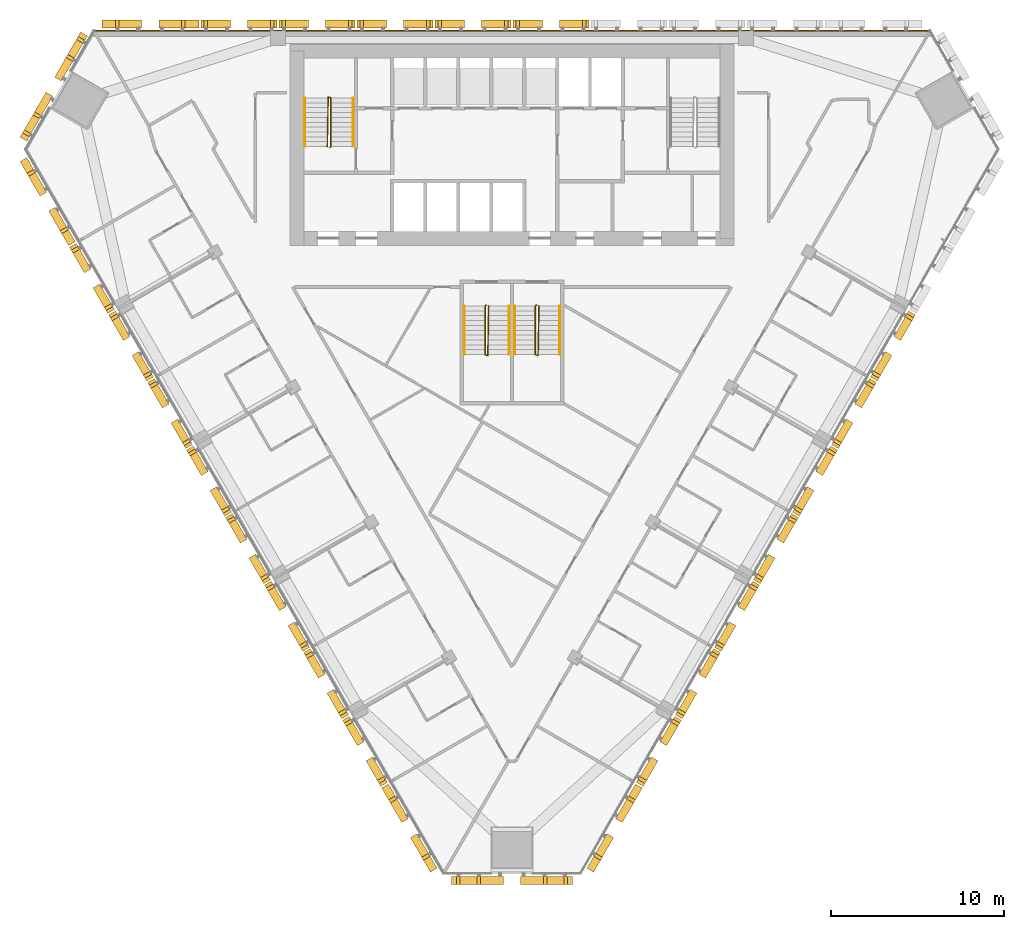
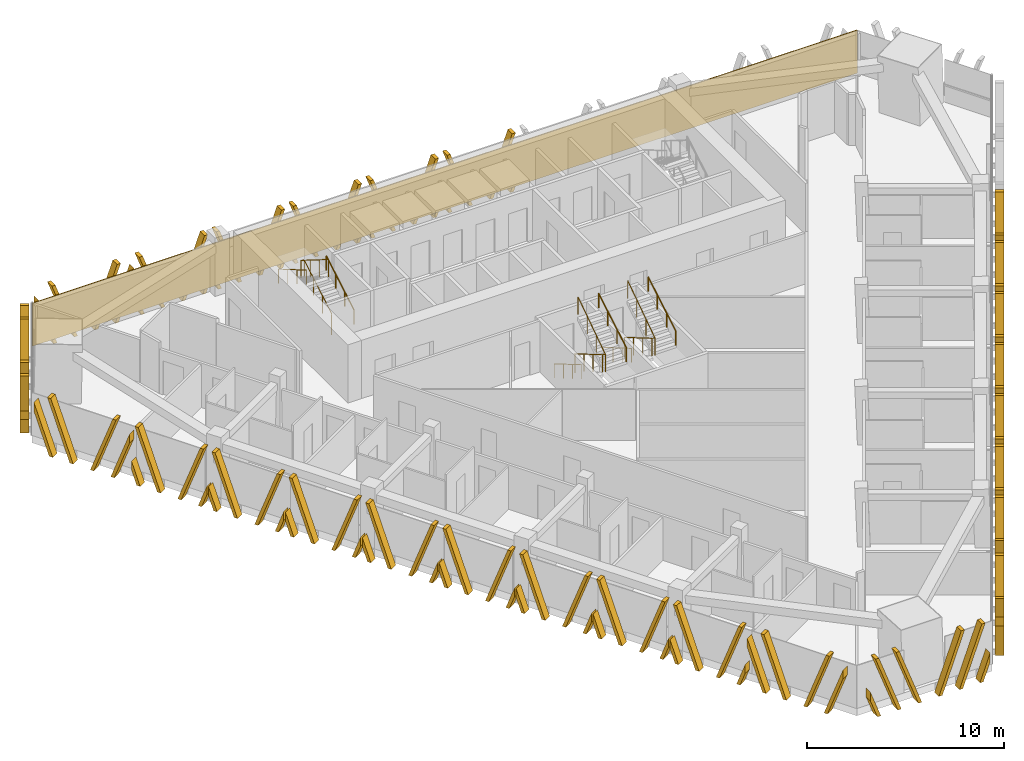
# One storey, part 14 of 16: 26 shading devices, 9 railings, 1 covering.
"""IFC4 building model written with IfcOpenShell, lengths in metres."""

from ifc_helpers import new_model, si_unit, direction, frame, frame_2d, origin, origin_2d, place, context, subcontext, project, spatial, polyline, rectangle, circle, outline, extrude, source, transform, mapped, material, layer, layer_set, type_object, element, save


model = new_model("IFC4")

# Units and contexts
model_context = context("Model", 3, precision=1e-05, world=origin(), true_north=direction((0.0, 1.0)))
body_context = subcontext(model_context, "Body", "Model", "MODEL_VIEW")
ifc_project = project(units=[si_unit("LENGTHUNIT", "METRE"), si_unit("AREAUNIT", "SQUARE_METRE"), si_unit("VOLUMEUNIT", "CUBIC_METRE"), si_unit("PLANEANGLEUNIT", "RADIAN"), si_unit("MASSUNIT", "GRAM", prefix="KILO")], contexts=[model_context])

# Site, building, storey
site_placement = place(None, origin())
site = spatial("IfcSite", under=ifc_project, at=site_placement, CompositionType="ELEMENT")
building_placement = place(site_placement, origin())
building = spatial("IfcBuilding", under=site, at=building_placement, Name="Altiplano Prism Tower", CompositionType="ELEMENT")
storey_placement = place(building_placement, frame((0.0, 0.0, 124.199951171875)))
storey = spatial("IfcBuildingStorey", under=building, at=storey_placement, Name="L31", CompositionType="ELEMENT", Elevation=124.199951171875)

# Railings
ifc_material_1 = material(Name="Steel S355", Category="steel")
railing_type_1 = type_object("IfcRailingType", Name="Stair guard 1100", PredefinedType="GUARDRAIL", material=ifc_material_1)
railing_1_placement = place(storey_placement, frame((74.5, 98.25, 0.0)))
element("IfcRailing", 1, at=railing_1_placement, inside=storey, type_object=railing_type_1, Name="L31 ST1 stair guard 1", PredefinedType="GUARDRAIL", context=body_context, shape_type="SweptSolid", body=[
    extrude(circle(Radius=0.02392578125, at=origin_2d()), frame((0.0, 0.0, 1.076171875), z_axis=(0.280808744504, 0.280808744504, 0.917765164963), x_axis=(-0.707106781187, 0.707106781187, 0.0)), (0.0, 0.0, 1.0), 0.17822265625),
    extrude(circle(Radius=0.02392578125, at=origin_2d()), frame((0.050048828125, 0.050048828125, 1.23974609375), z_axis=(0.0, 0.863360870873, 0.504586966384), x_axis=(-1.0, 0.0, 0.0)), (0.0, 0.0, 1.0), 3.2431640625),
    extrude(circle(Radius=0.02392578125, at=origin_2d()), frame((0.050048828125, 2.85009765625, 2.8759765625), z_axis=(-0.949145278916, 0.314838433982, 0.0), x_axis=(-0.314838433982, -0.949145278916, 0.0)), (0.0, 0.0, 1.0), 0.158203125),
    extrude(circle(Radius=0.02392578125, at=origin_2d()), frame((-0.10009765625, 2.89990234375, 2.8759765625), z_axis=(-0.01477401265, -0.845377694409, 0.533964682676), x_axis=(0.999847325713, -0.01747355902, 0.0)), (0.0, 0.0, 1.0), 3.37109375),
    extrude(circle(Radius=0.02099609375, at=origin_2d()), origin(), (0.0, 0.0, 1.0), 1.052001953125),
    extrude(circle(Radius=0.02099609375, at=origin_2d()), frame((0.050048828125, 0.050048828125, 0.16357421875)), (0.0, 0.0, 1.0), 1.052001953125),
    extrude(circle(Radius=0.02099609375, at=origin_2d()), frame((0.050048828125, 0.9833984375, 0.708984375)), (0.0, 0.0, 1.0), 1.052001953125),
    extrude(circle(Radius=0.02099609375, at=origin_2d()), frame((0.050048828125, 1.916748046875, 1.254638671875)), (0.0, 0.0, 1.0), 1.052001953125),
    extrude(circle(Radius=0.02099609375, at=origin_2d()), frame((0.050048828125, 2.85009765625, 1.800048828125)), (0.0, 0.0, 1.0), 1.052001953125),
    extrude(circle(Radius=0.02099609375, at=origin_2d()), frame((-0.10009765625, 2.89990234375, 1.800048828125)), (0.0, 0.0, 1.0), 1.052001953125),
    extrude(circle(Radius=0.02099609375, at=origin_2d()), frame((-0.11669921875, 1.949951171875, 2.400146484375)), (0.0, 0.0, 1.0), 1.052001953125),
    extrude(circle(Radius=0.02099609375, at=origin_2d()), frame((-0.13330078125, 1.0, 3.0)), (0.0, 0.0, 1.0), 1.052001953125),
    extrude(circle(Radius=0.02099609375, at=origin_2d()), frame((-0.14990234375, 0.050048828125, 3.60009765625)), (0.0, 0.0, 1.0), 1.052001953125),
])
railing_2_placement = place(storey_placement, frame((83.5, 89.14990234375, 0.0)))
element("IfcRailing", 2, at=railing_2_placement, inside=storey, type_object=railing_type_1, Name="L31 ST3A stair guard 1", PredefinedType="GUARDRAIL", context=body_context, shape_type="SweptSolid", body=[
    extrude(circle(Radius=0.02392578125, at=origin_2d()), frame((0.0, 0.0, 1.076171875), z_axis=(-0.280916556609, -0.279546231943, 0.91811752648), x_axis=(0.705375805398, -0.708833529934, 0.0)), (0.0, 0.0, 1.0), 0.17822265625),
    extrude(circle(Radius=0.02392578125, at=origin_2d()), frame((-0.050048828125, -0.0498046875, 1.23974609375), z_axis=(0.0, -0.863360870873, 0.504586966384), x_axis=(1.0, 0.0, 0.0)), (0.0, 0.0, 1.0), 3.2431640625),
    extrude(circle(Radius=0.02392578125, at=origin_2d()), frame((-0.050048828125, -2.849853515625, 2.8759765625), z_axis=(0.948683298051, -0.316227766017, 0.0), x_axis=(0.316227766017, 0.948683298051, 0.0)), (0.0, 0.0, 1.0), 0.158203125),
    extrude(circle(Radius=0.02392578125, at=origin_2d()), frame((0.10009765625, -2.89990234375, 2.8759765625), z_axis=(0.014773108175, 0.84539835705, 0.533931993021), x_axis=(-0.999847351862, 0.017472062685, 0.0)), (0.0, 0.0, 1.0), 3.371337890625),
    extrude(circle(Radius=0.02099609375, at=origin_2d()), origin(), (0.0, 0.0, 1.0), 1.052001953125),
    extrude(circle(Radius=0.02099609375, at=origin_2d()), frame((-0.050048828125, -0.0498046875, 0.16357421875)), (0.0, 0.0, 1.0), 1.052001953125),
    extrude(circle(Radius=0.02099609375, at=origin_2d()), frame((-0.050048828125, -0.983154296875, 0.708984375)), (0.0, 0.0, 1.0), 1.052001953125),
    extrude(circle(Radius=0.02099609375, at=origin_2d()), frame((-0.050048828125, -1.91650390625, 1.254638671875)), (0.0, 0.0, 1.0), 1.052001953125),
    extrude(circle(Radius=0.02099609375, at=origin_2d()), frame((-0.050048828125, -2.849853515625, 1.800048828125)), (0.0, 0.0, 1.0), 1.052001953125),
    extrude(circle(Radius=0.02099609375, at=origin_2d()), frame((0.10009765625, -2.89990234375, 1.800048828125)), (0.0, 0.0, 1.0), 1.052001953125),
    extrude(circle(Radius=0.02099609375, at=origin_2d()), frame((0.11669921875, -1.949951171875, 2.400146484375)), (0.0, 0.0, 1.0), 1.052001953125),
    extrude(circle(Radius=0.02099609375, at=origin_2d()), frame((0.13330078125, -0.999755859375, 3.0)), (0.0, 0.0, 1.0), 1.052001953125),
    extrude(circle(Radius=0.02099609375, at=origin_2d()), frame((0.14990234375, -0.0498046875, 3.60009765625)), (0.0, 0.0, 1.0), 1.052001953125),
])
railing_3_placement = place(storey_placement, frame((86.39990234375, 89.14990234375, 0.0)))
element("IfcRailing", 3, at=railing_3_placement, inside=storey, type_object=railing_type_1, Name="L31 ST3B stair guard 1", PredefinedType="GUARDRAIL", context=body_context, shape_type="SweptSolid", body=[
    extrude(circle(Radius=0.02392578125, at=origin_2d()), frame((0.0, 0.0, 1.076171875), z_axis=(-0.279653641804, -0.279653641804, 0.918470294159), x_axis=(0.707106781187, -0.707106781187, 0.0)), (0.0, 0.0, 1.0), 0.177978515625),
    extrude(circle(Radius=0.02392578125, at=origin_2d()), frame((-0.0498046875, -0.0498046875, 1.23974609375), z_axis=(0.0, -0.863360870873, 0.504586966384), x_axis=(1.0, 0.0, 0.0)), (0.0, 0.0, 1.0), 3.2431640625),
    extrude(circle(Radius=0.02392578125, at=origin_2d()), frame((-0.0498046875, -2.849853515625, 2.8759765625), z_axis=(0.948528701346, -0.316691178788, 0.0), x_axis=(0.316691178788, 0.948528701346, 0.0)), (0.0, 0.0, 1.0), 0.157958984375),
    extrude(circle(Radius=0.02392578125, at=origin_2d()), frame((0.10009765625, -2.89990234375, 2.8759765625), z_axis=(0.014845509451, 0.845397450405, 0.533931420407), x_axis=(-0.999845851991, 0.017557683712, 0.0)), (0.0, 0.0, 1.0), 3.371337890625),
    extrude(circle(Radius=0.02099609375, at=origin_2d()), origin(), (0.0, 0.0, 1.0), 1.052001953125),
    extrude(circle(Radius=0.02099609375, at=origin_2d()), frame((-0.0498046875, -0.0498046875, 0.16357421875)), (0.0, 0.0, 1.0), 1.052001953125),
    extrude(circle(Radius=0.02099609375, at=origin_2d()), frame((-0.0498046875, -0.983154296875, 0.708984375)), (0.0, 0.0, 1.0), 1.052001953125),
    extrude(circle(Radius=0.02099609375, at=origin_2d()), frame((-0.0498046875, -1.91650390625, 1.254638671875)), (0.0, 0.0, 1.0), 1.052001953125),
    extrude(circle(Radius=0.02099609375, at=origin_2d()), frame((-0.0498046875, -2.849853515625, 1.800048828125)), (0.0, 0.0, 1.0), 1.052001953125),
    extrude(circle(Radius=0.02099609375, at=origin_2d()), frame((0.10009765625, -2.89990234375, 1.800048828125)), (0.0, 0.0, 1.0), 1.052001953125),
    extrude(circle(Radius=0.02099609375, at=origin_2d()), frame((0.11669921875, -1.949951171875, 2.400146484375)), (0.0, 0.0, 1.0), 1.052001953125),
    extrude(circle(Radius=0.02099609375, at=origin_2d()), frame((0.133544921875, -0.999755859375, 3.0)), (0.0, 0.0, 1.0), 1.052001953125),
    extrude(circle(Radius=0.02099609375, at=origin_2d()), frame((0.150146484375, -0.0498046875, 3.60009765625)), (0.0, 0.0, 1.0), 1.052001953125),
])
railing_type_2 = type_object("IfcRailingType", Name="Stair handrail 900", PredefinedType="HANDRAIL", material=ifc_material_1)
railing_4_placement = place(storey_placement, frame((75.85009765625, 98.300048828125, 0.16357421875)))
element("IfcRailing", 4, at=railing_4_placement, inside=storey, type_object=railing_type_2, Name="L31 ST1 stair handrail 1", PredefinedType="HANDRAIL", context=body_context, shape_type="SweptSolid", body=[
    extrude(circle(Radius=0.02392578125, at=origin_2d()), frame((0.0, 0.0, 0.8759765625), z_axis=(0.0, 0.863360870873, 0.504586966384), x_axis=(-1.0, 0.0, 0.0)), (0.0, 0.0, 1.0), 3.2431640625),
    extrude(circle(Radius=0.02099609375, at=origin_2d()), origin(), (0.0, 0.0, 1.0), 0.851806640625),
    extrude(circle(Radius=0.02099609375, at=origin_2d()), frame((0.0, 0.933349609375, 0.54541015625)), (0.0, 0.0, 1.0), 0.851806640625),
    extrude(circle(Radius=0.02099609375, at=origin_2d()), frame((0.0, 1.86669921875, 1.091064453125)), (0.0, 0.0, 1.0), 0.851806640625),
    extrude(circle(Radius=0.02099609375, at=origin_2d()), frame((0.0, 2.800048828125, 1.636474609375)), (0.0, 0.0, 1.0), 0.851806640625),
])
for number, where, name in (
    (5, (73.050048828125, 101.10009765625, 1.963623046875), "L31 ST1 stair handrail 2"),
    (6, (82.25, 89.10009765625, 0.16357421875), "L31 ST3A stair handrail 1"),
):
    element("IfcRailing", number, at=place(storey_placement, frame(where)), inside=storey, type_object=railing_type_2, Name=name, PredefinedType="HANDRAIL", context=body_context, shape_type="SweptSolid", body=[
        extrude(circle(Radius=0.02392578125, at=origin_2d()), frame((0.0, 0.0, 0.8759765625), z_axis=(0.0, -0.863360870873, 0.504586966384), x_axis=(1.0, 0.0, 0.0)), (0.0, 0.0, 1.0), 3.2431640625),
        extrude(circle(Radius=0.02099609375, at=origin_2d()), origin(), (0.0, 0.0, 1.0), 0.851806640625),
        extrude(circle(Radius=0.02099609375, at=origin_2d()), frame((0.0, -0.933349609375, 0.54541015625)), (0.0, 0.0, 1.0), 0.851806640625),
        extrude(circle(Radius=0.02099609375, at=origin_2d()), frame((0.0, -1.86669921875, 1.091064453125)), (0.0, 0.0, 1.0), 0.851806640625),
        extrude(circle(Radius=0.02099609375, at=origin_2d()), frame((0.0, -2.800048828125, 1.636474609375)), (0.0, 0.0, 1.0), 0.851806640625),
    ])
railing_5_placement = place(storey_placement, frame((84.85009765625, 86.300048828125, 1.963623046875)))
element("IfcRailing", 7, at=railing_5_placement, inside=storey, type_object=railing_type_2, Name="L31 ST3A stair handrail 2", PredefinedType="HANDRAIL", context=body_context, shape_type="SweptSolid", body=[
    extrude(circle(Radius=0.02392578125, at=origin_2d()), frame((0.0, 0.0, 0.8759765625), z_axis=(0.0, 0.863360870873, 0.504586966384), x_axis=(-1.0, 0.0, 0.0)), (0.0, 0.0, 1.0), 3.2431640625),
    extrude(circle(Radius=0.02099609375, at=origin_2d()), origin(), (0.0, 0.0, 1.0), 0.851806640625),
    extrude(circle(Radius=0.02099609375, at=origin_2d()), frame((0.0, 0.933349609375, 0.54541015625)), (0.0, 0.0, 1.0), 0.851806640625),
    extrude(circle(Radius=0.02099609375, at=origin_2d()), frame((0.0, 1.86669921875, 1.091064453125)), (0.0, 0.0, 1.0), 0.851806640625),
    extrude(circle(Radius=0.02099609375, at=origin_2d()), frame((0.0, 2.800048828125, 1.636474609375)), (0.0, 0.0, 1.0), 0.851806640625),
])
railing_6_placement = place(storey_placement, frame((85.14990234375, 89.10009765625, 0.16357421875)))
element("IfcRailing", 8, at=railing_6_placement, inside=storey, type_object=railing_type_2, Name="L31 ST3B stair handrail 1", PredefinedType="HANDRAIL", context=body_context, shape_type="SweptSolid", body=[
    extrude(circle(Radius=0.02392578125, at=origin_2d()), frame((0.0, 0.0, 0.8759765625), z_axis=(0.0, -0.863360870873, 0.504586966384), x_axis=(1.0, 0.0, 0.0)), (0.0, 0.0, 1.0), 3.2431640625),
    extrude(circle(Radius=0.02099609375, at=origin_2d()), origin(), (0.0, 0.0, 1.0), 0.851806640625),
    extrude(circle(Radius=0.02099609375, at=origin_2d()), frame((0.0, -0.933349609375, 0.54541015625)), (0.0, 0.0, 1.0), 0.851806640625),
    extrude(circle(Radius=0.02099609375, at=origin_2d()), frame((0.0, -1.86669921875, 1.091064453125)), (0.0, 0.0, 1.0), 0.851806640625),
    extrude(circle(Radius=0.02099609375, at=origin_2d()), frame((0.0, -2.800048828125, 1.636474609375)), (0.0, 0.0, 1.0), 0.851806640625),
])
railing_7_placement = place(storey_placement, frame((87.75, 86.300048828125, 1.963623046875)))
element("IfcRailing", 9, at=railing_7_placement, inside=storey, type_object=railing_type_2, Name="L31 ST3B stair handrail 2", PredefinedType="HANDRAIL", context=body_context, shape_type="SweptSolid", body=[
    extrude(circle(Radius=0.02392578125, at=origin_2d()), frame((0.0, 0.0, 0.8759765625), z_axis=(0.0, 0.863360870873, 0.504586966384), x_axis=(-1.0, 0.0, 0.0)), (0.0, 0.0, 1.0), 3.2431640625),
    extrude(circle(Radius=0.02099609375, at=origin_2d()), origin(), (0.0, 0.0, 1.0), 0.851806640625),
    extrude(circle(Radius=0.02099609375, at=origin_2d()), frame((0.0, 0.933349609375, 0.54541015625)), (0.0, 0.0, 1.0), 0.851806640625),
    extrude(circle(Radius=0.02099609375, at=origin_2d()), frame((0.0, 1.86669921875, 1.091064453125)), (0.0, 0.0, 1.0), 0.851806640625),
    extrude(circle(Radius=0.02099609375, at=origin_2d()), frame((0.0, 2.800048828125, 1.636474609375)), (0.0, 0.0, 1.0), 0.851806640625),
])

# Covering
ifc_material_2 = material(Name="Warm limestone cast stone", Category="masonry")
ifc_layer = layer(ifc_material_2, 0.06005859375)
ifc_layer_set = layer_set([ifc_layer], Name="Warm limestone cast stone")
covering_type = type_object("IfcCoveringType", Name="Stone cladding 60", PredefinedType="CLADDING", material=ifc_layer_set)
covering_placement = place(storey_placement, frame((60.8681640625, 104.969970703125, 0.0), z_axis=(0.0, 0.0, 1.0), x_axis=(1.0, 0.0, 0.0)))
element("IfcCovering", 10, at=covering_placement, inside=storey, type_object=covering_type, Name="Stone cladding north face L31", PredefinedType="CLADDING", context=body_context, shape_type="SweptSolid", body=[
    extrude(rectangle(XDim=48.263671875, YDim=0.06005859375, at=frame_2d((24.1318359375, 0.0))), origin(), (0.0, 0.0, 1.0), 2.650146484375),
])

# Shading devices
shading_device_type_1 = type_object("IfcShadingDeviceType", Name="Stone fin panel, standard unit", PredefinedType="USERDEFINED", material=ifc_material_2)
shared_shape_1 = source(origin(), body_context, "Body", "SweptSolid", [
    extrude(outline(polyline([(-2.199951171875, 1.373779296875), (-2.199951171875, 0.82421875), (-1.89990234375, 0.0), (-1.699951171875, 0.0), (-2.199951171875, 1.373779296875)])), frame((0.0, -0.14990234375, 0.0), z_axis=(0.0, -1.0, 0.0), x_axis=(1.0, 0.0, 0.0)), (0.0, 0.0, 1.0), 0.4501953125),
    extrude(outline(polyline([(-2.01025390625, 3.60009765625), (-0.699951171875, 0.0), (-0.5, 0.0), (-1.810302734375, 3.60009765625), (-2.01025390625, 3.60009765625)])), frame((0.0, -0.14990234375, 0.0), z_axis=(0.0, -1.0, 0.0), x_axis=(1.0, 0.0, 0.0)), (0.0, 0.0, 1.0), 0.4501953125),
    extrude(outline(polyline([(1.810302734375, 3.60009765625), (0.5, 0.0), (0.699951171875, 0.0), (2.01025390625, 3.60009765625), (1.810302734375, 3.60009765625)])), frame((0.0, -0.14990234375, 0.0), z_axis=(0.0, -1.0, 0.0), x_axis=(1.0, 0.0, 0.0)), (0.0, 0.0, 1.0), 0.4501953125),
    extrude(outline(polyline([(2.199951171875, 0.82421875), (2.199951171875, 1.373779296875), (1.699951171875, 0.0), (1.89990234375, 0.0), (2.199951171875, 0.82421875)])), frame((0.0, -0.14990234375, 0.0), z_axis=(0.0, -1.0, 0.0), x_axis=(1.0, 0.0, 0.0)), (0.0, 0.0, 1.0), 0.4501953125),
])
shading_device_1_placement = place(storey_placement, origin())
element("IfcShadingDevice", 11, at=shading_device_1_placement, inside=storey, type_object=shading_device_type_1, Name="Fin L31 north face 5", ObjectType="FIN", PredefinedType="USERDEFINED", context=body_context, shape_type="MappedRepresentation", body=[
    mapped(shared_shape_1, transform((87.25, 105.0, -0.449951171875), x_axis=(-1.0, 0.0, 0.0), y_axis=(0.0, -1.0, 0.0), z_axis=(0.0, 0.0, 1.0))),
])
shading_device_2_placement = place(storey_placement, origin())
element("IfcShadingDevice", 12, at=shading_device_2_placement, inside=storey, type_object=shading_device_type_1, Name="Fin L31 north face 6", ObjectType="FIN", PredefinedType="USERDEFINED", context=body_context, shape_type="MappedRepresentation", body=[
    mapped(shared_shape_1, transform((82.75, 105.0, -0.449951171875), x_axis=(-1.0, 0.0, 0.0), y_axis=(0.0, -1.0, 0.0), z_axis=(0.0, 0.0, 1.0))),
])
shading_device_3_placement = place(storey_placement, origin())
element("IfcShadingDevice", 13, at=shading_device_3_placement, inside=storey, type_object=shading_device_type_1, Name="Fin L31 north face 7", ObjectType="FIN", PredefinedType="USERDEFINED", context=body_context, shape_type="MappedRepresentation", body=[
    mapped(shared_shape_1, transform((78.25, 105.0, -0.449951171875), x_axis=(-1.0, 0.0, 0.0), y_axis=(0.0, -1.0, 0.0), z_axis=(0.0, 0.0, 1.0))),
])
shading_device_4_placement = place(storey_placement, origin())
element("IfcShadingDevice", 14, at=shading_device_4_placement, inside=storey, type_object=shading_device_type_1, Name="Fin L31 north face 8", ObjectType="FIN", PredefinedType="USERDEFINED", context=body_context, shape_type="MappedRepresentation", body=[
    mapped(shared_shape_1, transform((73.75, 105.0, -0.449951171875), x_axis=(-1.0, 0.0, 0.0), y_axis=(0.0, -1.0, 0.0), z_axis=(0.0, 0.0, 1.0))),
])
shading_device_5_placement = place(storey_placement, origin())
element("IfcShadingDevice", 15, at=shading_device_5_placement, inside=storey, type_object=shading_device_type_1, Name="Fin L31 north face 9", ObjectType="FIN", PredefinedType="USERDEFINED", context=body_context, shape_type="MappedRepresentation", body=[
    mapped(shared_shape_1, transform((69.25, 105.0, -0.449951171875), x_axis=(-1.0, 0.0, 0.0), y_axis=(0.0, -1.0, 0.0), z_axis=(0.0, 0.0, 1.0))),
])
shading_device_6_placement = place(storey_placement, origin())
element("IfcShadingDevice", 16, at=shading_device_6_placement, inside=storey, type_object=shading_device_type_1, Name="Fin L31 south-west face 2", ObjectType="FIN", PredefinedType="USERDEFINED", context=body_context, shape_type="MappedRepresentation", body=[
    mapped(shared_shape_1, transform((61.09814453125, 90.880615234375, -0.449951171875), x_axis=(0.499999989809, -0.866025409668, 0.0), y_axis=(0.866025409668, 0.499999989809, 0.0), z_axis=(0.0, 0.0, 1.0))),
])
shading_device_7_placement = place(storey_placement, origin())
element("IfcShadingDevice", 17, at=shading_device_7_placement, inside=storey, type_object=shading_device_type_1, Name="Fin L31 south-west face 3", ObjectType="FIN", PredefinedType="USERDEFINED", context=body_context, shape_type="MappedRepresentation", body=[
    mapped(shared_shape_1, transform((63.34814453125, 86.983642578125, -0.449951171875), x_axis=(0.499999989809, -0.866025409668, 0.0), y_axis=(0.866025409668, 0.499999989809, 0.0), z_axis=(0.0, 0.0, 1.0))),
])
shading_device_8_placement = place(storey_placement, origin())
element("IfcShadingDevice", 18, at=shading_device_8_placement, inside=storey, type_object=shading_device_type_1, Name="Fin L31 south-west face 4", ObjectType="FIN", PredefinedType="USERDEFINED", context=body_context, shape_type="MappedRepresentation", body=[
    mapped(shared_shape_1, transform((65.59814453125, 83.08642578125, -0.449951171875), x_axis=(0.499999989809, -0.866025409668, 0.0), y_axis=(0.866025409668, 0.499999989809, 0.0), z_axis=(0.0, 0.0, 1.0))),
])
shading_device_9_placement = place(storey_placement, origin())
element("IfcShadingDevice", 19, at=shading_device_9_placement, inside=storey, type_object=shading_device_type_1, Name="Fin L31 south-west face 5", ObjectType="FIN", PredefinedType="USERDEFINED", context=body_context, shape_type="MappedRepresentation", body=[
    mapped(shared_shape_1, transform((67.84814453125, 79.189208984375, -0.449951171875), x_axis=(0.499999989809, -0.866025409668, 0.0), y_axis=(0.866025409668, 0.499999989809, 0.0), z_axis=(0.0, 0.0, 1.0))),
])
shading_device_10_placement = place(storey_placement, origin())
element("IfcShadingDevice", 20, at=shading_device_10_placement, inside=storey, type_object=shading_device_type_1, Name="Fin L31 south-west face 6", ObjectType="FIN", PredefinedType="USERDEFINED", context=body_context, shape_type="MappedRepresentation", body=[
    mapped(shared_shape_1, transform((70.09814453125, 75.292236328125, -0.449951171875), x_axis=(0.499999989809, -0.866025409668, 0.0), y_axis=(0.866025409668, 0.499999989809, 0.0), z_axis=(0.0, 0.0, 1.0))),
])
shading_device_11_placement = place(storey_placement, origin())
element("IfcShadingDevice", 21, at=shading_device_11_placement, inside=storey, type_object=shading_device_type_1, Name="Fin L31 south-west face 7", ObjectType="FIN", PredefinedType="USERDEFINED", context=body_context, shape_type="MappedRepresentation", body=[
    mapped(shared_shape_1, transform((72.34814453125, 71.39501953125, -0.449951171875), x_axis=(0.499999989809, -0.866025409668, 0.0), y_axis=(0.866025409668, 0.499999989809, 0.0), z_axis=(0.0, 0.0, 1.0))),
])
shading_device_12_placement = place(storey_placement, origin())
element("IfcShadingDevice", 22, at=shading_device_12_placement, inside=storey, type_object=shading_device_type_1, Name="Fin L31 south-west face 8", ObjectType="FIN", PredefinedType="USERDEFINED", context=body_context, shape_type="MappedRepresentation", body=[
    mapped(shared_shape_1, transform((74.59814453125, 67.498046875, -0.449951171875), x_axis=(0.499999989809, -0.866025409668, 0.0), y_axis=(0.866025409668, 0.499999989809, 0.0), z_axis=(0.0, 0.0, 1.0))),
])
shading_device_13_placement = place(storey_placement, origin())
element("IfcShadingDevice", 23, at=shading_device_13_placement, inside=storey, type_object=shading_device_type_1, Name="Fin L31 south-west face 9", ObjectType="FIN", PredefinedType="USERDEFINED", context=body_context, shape_type="MappedRepresentation", body=[
    mapped(shared_shape_1, transform((76.84814453125, 63.600830078125, -0.449951171875), x_axis=(0.499999989809, -0.866025409668, 0.0), y_axis=(0.866025409668, 0.499999989809, 0.0), z_axis=(0.0, 0.0, 1.0))),
])
shading_device_14_placement = place(storey_placement, origin())
element("IfcShadingDevice", 24, at=shading_device_14_placement, inside=storey, type_object=shading_device_type_1, Name="Fin L31 south-east face 2", ObjectType="FIN", PredefinedType="USERDEFINED", context=body_context, shape_type="MappedRepresentation", body=[
    mapped(shared_shape_1, transform((93.15185546875, 63.600830078125, -0.449951171875), x_axis=(0.499999989809, 0.866025409668, 0.0), y_axis=(-0.866025409668, 0.499999989809, 0.0), z_axis=(0.0, 0.0, 1.0))),
])
shading_device_15_placement = place(storey_placement, origin())
element("IfcShadingDevice", 25, at=shading_device_15_placement, inside=storey, type_object=shading_device_type_1, Name="Fin L31 south-east face 3", ObjectType="FIN", PredefinedType="USERDEFINED", context=body_context, shape_type="MappedRepresentation", body=[
    mapped(shared_shape_1, transform((95.40185546875, 67.498046875, -0.449951171875), x_axis=(0.499999989809, 0.866025409668, 0.0), y_axis=(-0.866025409668, 0.499999989809, 0.0), z_axis=(0.0, 0.0, 1.0))),
])
shading_device_16_placement = place(storey_placement, origin())
element("IfcShadingDevice", 26, at=shading_device_16_placement, inside=storey, type_object=shading_device_type_1, Name="Fin L31 south-east face 4", ObjectType="FIN", PredefinedType="USERDEFINED", context=body_context, shape_type="MappedRepresentation", body=[
    mapped(shared_shape_1, transform((97.65185546875, 71.39501953125, -0.449951171875), x_axis=(0.499999989809, 0.866025409668, 0.0), y_axis=(-0.866025409668, 0.499999989809, 0.0), z_axis=(0.0, 0.0, 1.0))),
])
shading_device_17_placement = place(storey_placement, origin())
element("IfcShadingDevice", 27, at=shading_device_17_placement, inside=storey, type_object=shading_device_type_1, Name="Fin L31 south-east face 5", ObjectType="FIN", PredefinedType="USERDEFINED", context=body_context, shape_type="MappedRepresentation", body=[
    mapped(shared_shape_1, transform((99.90185546875, 75.292236328125, -0.449951171875), x_axis=(0.499999989809, 0.866025409668, 0.0), y_axis=(-0.866025409668, 0.499999989809, 0.0), z_axis=(0.0, 0.0, 1.0))),
])
shading_device_18_placement = place(storey_placement, origin())
element("IfcShadingDevice", 28, at=shading_device_18_placement, inside=storey, type_object=shading_device_type_1, Name="Fin L31 south-east face 6", ObjectType="FIN", PredefinedType="USERDEFINED", context=body_context, shape_type="MappedRepresentation", body=[
    mapped(shared_shape_1, transform((102.15185546875, 79.189208984375, -0.449951171875), x_axis=(0.499999989809, 0.866025409668, 0.0), y_axis=(-0.866025409668, 0.499999989809, 0.0), z_axis=(0.0, 0.0, 1.0))),
])
shading_device_19_placement = place(storey_placement, origin())
element("IfcShadingDevice", 29, at=shading_device_19_placement, inside=storey, type_object=shading_device_type_1, Name="Fin L31 south-east face 7", ObjectType="FIN", PredefinedType="USERDEFINED", context=body_context, shape_type="MappedRepresentation", body=[
    mapped(shared_shape_1, transform((104.40185546875, 83.08642578125, -0.449951171875), x_axis=(0.499999989809, 0.866025409668, 0.0), y_axis=(-0.866025409668, 0.499999989809, 0.0), z_axis=(0.0, 0.0, 1.0))),
])
shading_device_20_placement = place(storey_placement, origin())
element("IfcShadingDevice", 30, at=shading_device_20_placement, inside=storey, type_object=shading_device_type_1, Name="Fin L31 south-east face 8", ObjectType="FIN", PredefinedType="USERDEFINED", context=body_context, shape_type="MappedRepresentation", body=[
    mapped(shared_shape_1, transform((106.65185546875, 86.983642578125, -0.449951171875), x_axis=(0.499999989809, 0.866025409668, 0.0), y_axis=(-0.866025409668, 0.499999989809, 0.0), z_axis=(0.0, 0.0, 1.0))),
])
shading_device_type_2 = type_object("IfcShadingDeviceType", Name="Stone fin panel, wide closing bay", PredefinedType="USERDEFINED", material=ifc_material_2)
shared_shape_2 = source(origin(), body_context, "Body", "SweptSolid", [
    extrude(outline(polyline([(-2.800048828125, 3.022216796875), (-2.800048828125, 2.47265625), (-1.89990234375, 0.0), (-1.699951171875, 0.0), (-2.800048828125, 3.022216796875)])), frame((0.0, -0.14990234375, 0.0), z_axis=(0.0, -1.0, 0.0), x_axis=(1.0, 0.0, 0.0)), (0.0, 0.0, 1.0), 0.4501953125),
    extrude(outline(polyline([(-2.01025390625, 3.60009765625), (-0.699951171875, 0.0), (-0.5, 0.0), (-1.810302734375, 3.60009765625), (-2.01025390625, 3.60009765625)])), frame((0.0, -0.14990234375, 0.0), z_axis=(0.0, -1.0, 0.0), x_axis=(1.0, 0.0, 0.0)), (0.0, 0.0, 1.0), 0.4501953125),
    extrude(outline(polyline([(1.810302734375, 3.60009765625), (0.5, 0.0), (0.699951171875, 0.0), (2.01025390625, 3.60009765625), (1.810302734375, 3.60009765625)])), frame((0.0, -0.14990234375, 0.0), z_axis=(0.0, -1.0, 0.0), x_axis=(1.0, 0.0, 0.0)), (0.0, 0.0, 1.0), 0.4501953125),
    extrude(outline(polyline([(2.800048828125, 2.47265625), (2.800048828125, 3.022216796875), (1.699951171875, 0.0), (1.89990234375, 0.0), (2.800048828125, 2.47265625)])), frame((0.0, -0.14990234375, 0.0), z_axis=(0.0, -1.0, 0.0), x_axis=(1.0, 0.0, 0.0)), (0.0, 0.0, 1.0), 0.4501953125),
])
shading_device_21_placement = place(storey_placement, origin())
element("IfcShadingDevice", 31, at=shading_device_21_placement, inside=storey, type_object=shading_device_type_2, Name="Fin L31 north face 10", ObjectType="FIN", PredefinedType="USERDEFINED", context=body_context, shape_type="MappedRepresentation", body=[
    mapped(shared_shape_2, transform((64.134033203125, 105.0, -0.449951171875), x_axis=(-1.0, 0.0, 0.0), y_axis=(0.0, -1.0, 0.0), z_axis=(0.0, 0.0, 1.0))),
])
shading_device_22_placement = place(storey_placement, origin())
element("IfcShadingDevice", 32, at=shading_device_22_placement, inside=storey, type_object=shading_device_type_2, Name="Fin L31 south-west face 1", ObjectType="FIN", PredefinedType="USERDEFINED", context=body_context, shape_type="MappedRepresentation", body=[
    mapped(shared_shape_2, transform((58.540283203125, 95.31103515625, -0.449951171875), x_axis=(0.499999989809, -0.866025409668, 0.0), y_axis=(0.866025409668, 0.499999989809, 0.0), z_axis=(0.0, 0.0, 1.0))),
])
shading_device_23_placement = place(storey_placement, origin())
element("IfcShadingDevice", 33, at=shading_device_23_placement, inside=storey, type_object=shading_device_type_2, Name="Fin L31 south-west face 10", ObjectType="FIN", PredefinedType="USERDEFINED", context=body_context, shape_type="MappedRepresentation", body=[
    mapped(shared_shape_2, transform((79.40625, 59.17041015625, -0.449951171875), x_axis=(0.499999989809, -0.866025409668, 0.0), y_axis=(0.866025409668, 0.499999989809, 0.0), z_axis=(0.0, 0.0, 1.0))),
])
shading_device_24_placement = place(storey_placement, origin())
element("IfcShadingDevice", 34, at=shading_device_24_placement, inside=storey, type_object=shading_device_type_2, Name="Fin L31 south-east face 1", ObjectType="FIN", PredefinedType="USERDEFINED", context=body_context, shape_type="MappedRepresentation", body=[
    mapped(shared_shape_2, transform((90.59375, 59.17041015625, -0.449951171875), x_axis=(0.499999989809, 0.866025409668, 0.0), y_axis=(-0.866025409668, 0.499999989809, 0.0), z_axis=(0.0, 0.0, 1.0))),
])
shading_device_type_3 = type_object("IfcShadingDeviceType", Name="Stone fin panel, chamfer unit", PredefinedType="USERDEFINED", material=ifc_material_2)
shared_shape_3 = source(origin(), body_context, "Body", "SweptSolid", [
    extrude(outline(polyline([(-3.5, 1.6484375), (-3.5, 1.09912109375), (-3.10009765625, 0.0), (-2.89990234375, 0.0), (-3.5, 1.6484375)])), frame((0.0, -0.14990234375, 0.0), z_axis=(0.0, -1.0, 0.0), x_axis=(1.0, 0.0, 0.0)), (0.0, 0.0, 1.0), 0.4501953125),
    extrude(outline(polyline([(-3.210205078125, 3.60009765625), (-1.89990234375, 0.0), (-1.699951171875, 0.0), (-3.01025390625, 3.60009765625), (-3.210205078125, 3.60009765625)])), frame((0.0, -0.14990234375, 0.0), z_axis=(0.0, -1.0, 0.0), x_axis=(1.0, 0.0, 0.0)), (0.0, 0.0, 1.0), 0.4501953125),
    extrude(outline(polyline([(-2.01025390625, 3.60009765625), (-0.699951171875, 0.0), (-0.5, 0.0), (-1.810302734375, 3.60009765625), (-2.01025390625, 3.60009765625)])), frame((0.0, -0.14990234375, 0.0), z_axis=(0.0, -1.0, 0.0), x_axis=(1.0, 0.0, 0.0)), (0.0, 0.0, 1.0), 0.4501953125),
    extrude(outline(polyline([(1.810302734375, 3.60009765625), (0.5, 0.0), (0.699951171875, 0.0), (2.01025390625, 3.60009765625), (1.810302734375, 3.60009765625)])), frame((0.0, -0.14990234375, 0.0), z_axis=(0.0, -1.0, 0.0), x_axis=(1.0, 0.0, 0.0)), (0.0, 0.0, 1.0), 0.4501953125),
    extrude(outline(polyline([(3.01025390625, 3.60009765625), (1.699951171875, 0.0), (1.89990234375, 0.0), (3.210205078125, 3.60009765625), (3.01025390625, 3.60009765625)])), frame((0.0, -0.14990234375, 0.0), z_axis=(0.0, -1.0, 0.0), x_axis=(1.0, 0.0, 0.0)), (0.0, 0.0, 1.0), 0.4501953125),
    extrude(outline(polyline([(3.5, 1.09912109375), (3.5, 1.6484375), (2.89990234375, 0.0), (3.10009765625, 0.0), (3.5, 1.09912109375)])), frame((0.0, -0.14990234375, 0.0), z_axis=(0.0, -1.0, 0.0), x_axis=(1.0, 0.0, 0.0)), (0.0, 0.0, 1.0), 0.4501953125),
])
shading_device_25_placement = place(storey_placement, origin())
element("IfcShadingDevice", 35, at=shading_device_25_placement, inside=storey, type_object=shading_device_type_3, Name="Fin L31 north-west chamfer 1", ObjectType="FIN", PredefinedType="USERDEFINED", context=body_context, shape_type="MappedRepresentation", body=[
    mapped(shared_shape_3, transform((58.8876953125, 101.56982421875, -0.449951171875), x_axis=(-0.499999997974, -0.866025404954, 0.0), y_axis=(0.866025404954, -0.499999997974, 0.0), z_axis=(0.0, 0.0, 1.0))),
])
shading_device_26_placement = place(storey_placement, origin())
element("IfcShadingDevice", 36, at=shading_device_26_placement, inside=storey, type_object=shading_device_type_3, Name="Fin L31 south chamfer 1", ObjectType="FIN", PredefinedType="USERDEFINED", context=body_context, shape_type="MappedRepresentation", body=[
    mapped(shared_shape_3, transform((85.0, 56.342041015625, -0.449951171875), x_axis=(1.0, 0.0, 0.0), y_axis=(0.0, 1.0, 0.0), z_axis=(0.0, 0.0, 1.0))),
])

save(model, "model.ifc")
